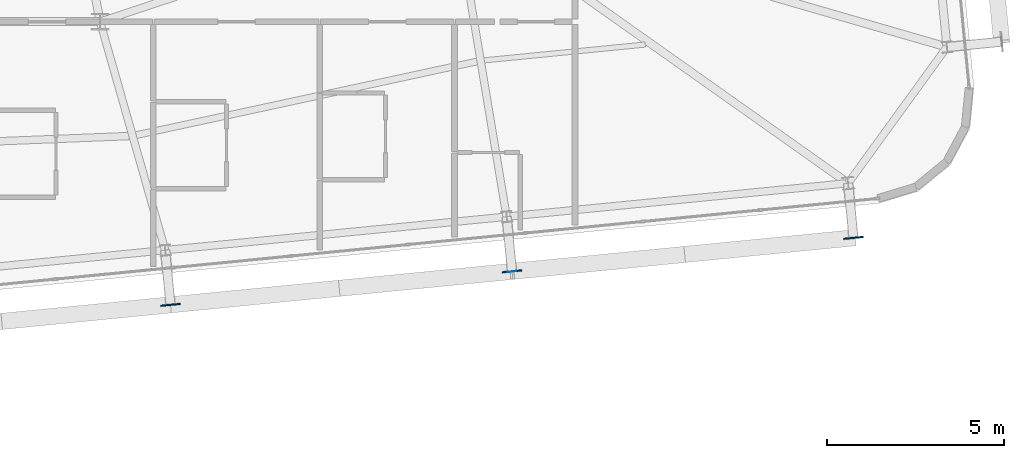
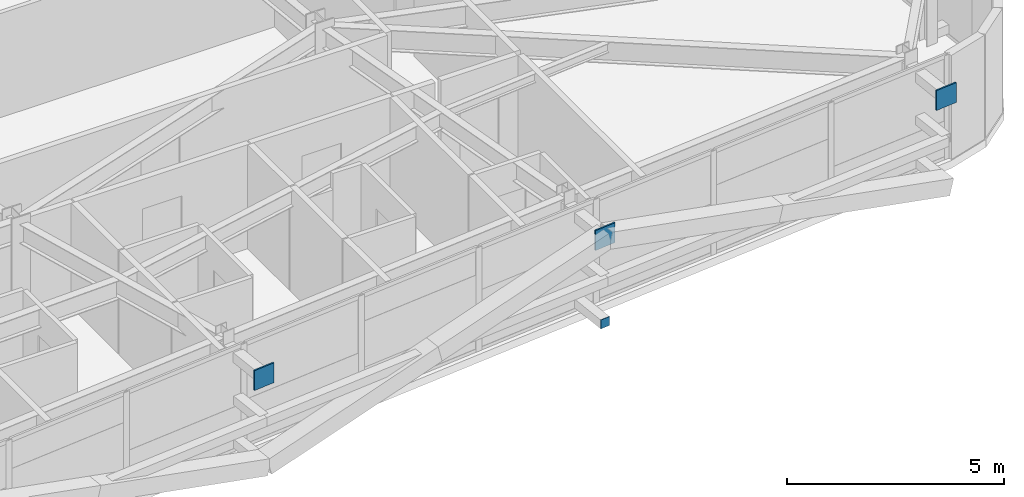
# One storey, part 41 of 54: 4 plates.
"""IFC4 building model written with IfcOpenShell, lengths in metres."""

from ifc_helpers import new_model, si_unit, direction, frame, origin, origin_2d, place, context, subcontext, project, spatial, rectangle, extrude, source, transform, mapped, material, layer, layer_set, type_object, element, save


model = new_model("IFC4")

# Units and contexts
model_context = context("Model", 3, precision=1e-05, world=origin(), true_north=direction((0.0, 1.0)))
body_context = subcontext(model_context, "Body", "Model", "MODEL_VIEW")
ifc_project = project(units=[si_unit("LENGTHUNIT", "METRE"), si_unit("AREAUNIT", "SQUARE_METRE"), si_unit("VOLUMEUNIT", "CUBIC_METRE"), si_unit("PLANEANGLEUNIT", "RADIAN"), si_unit("MASSUNIT", "GRAM", prefix="KILO")], contexts=[model_context])

# Site, building, storey
site_placement = place(None, origin())
site = spatial("IfcSite", under=ifc_project, at=site_placement, CompositionType="ELEMENT")
building_placement = place(site_placement, origin())
building = spatial("IfcBuilding", under=site, at=building_placement, Name="Taldren Reach Tower", CompositionType="ELEMENT")
storey_placement = place(building_placement, frame((0.0, 0.0, 102.89990234375)))
storey = spatial("IfcBuildingStorey", under=building, at=storey_placement, Name="L31", CompositionType="ELEMENT", Elevation=102.89990234375)

# Plates
ifc_material_1 = material(Name="Steel Gr 450 (C450L0)", Category="steel")
ifc_layer_1 = layer(ifc_material_1, 0.0400390625)
ifc_layer_set_1 = layer_set([ifc_layer_1], Name="Steel Gr 450 (C450L0)")
plate_type_1 = type_object("IfcPlateType", Name="PL-GUSSET-40", PredefinedType="SHEET", material=ifc_layer_set_1)
shared_shape_1 = source(origin(), body_context, "Body", "SweptSolid", [
    extrude(rectangle(XDim=0.56005859375, YDim=0.0400390625, at=origin_2d()), origin(), (0.0, 0.0, 1.0), 0.56005859375),
])
for number, where, z_axis, x_axis, name in (
    (1, (43.98681640625, 1.21142578125, 2.3701171875), (0.0, 0.0, 1.0), (0.995227399982, 0.097582899759, 0.0), "Exoskeleton star-node gusset plate B2-S4 L31"),
    (2, (53.62060546875, 2.156005859375, 2.3701171875), (0.0, 0.0, 1.0), (0.995227399982, 0.097582899759, 0.0), "Exoskeleton star-node gusset plate B2-S5 L31"),
    (3, (63.25439453125, 3.1005859375, 2.3701171875), (0.0, 0.0, 1.0), (0.995227399982, 0.097582899759, 0.0), "Exoskeleton star-node gusset plate B2-S6 L31"),
):
    element("IfcPlate", number, at=place(storey_placement, frame(where, z_axis=z_axis, x_axis=x_axis)), inside=storey, type_object=plate_type_1, Name=name, PredefinedType="SHEET", context=body_context, shape_type="MappedRepresentation", body=[
        mapped(shared_shape_1, transform((0.0, 0.0, 0.0), scale=1.0)),
    ])
ifc_material_2 = material(Name="Steel Gr 350 (C350L0)", Category="steel")
ifc_layer_2 = layer(ifc_material_2, 0.011962890625)
ifc_layer_set_2 = layer_set([ifc_layer_2], Name="Steel Gr 350 (C350L0)")
plate_type_2 = type_object("IfcPlateType", Name="PL-CAP-250", PredefinedType="SHEET", material=ifc_layer_set_2)
shared_shape_2 = source(origin(), body_context, "Body", "SweptSolid", [
    extrude(rectangle(XDim=0.25, YDim=0.011962890625, at=origin_2d()), origin(), (0.0, 0.0, 1.0), 0.25),
])
plate_placement = place(storey_placement, frame((53.62109375, 2.14990234375, 0.09521484375), z_axis=(0.0, 0.0, 1.0), x_axis=(0.995227399982, 0.097582899759, 0.0)))
element("IfcPlate", 4, at=plate_placement, inside=storey, type_object=plate_type_2, Name="Tie strut end cap plate B2-S5 L31", PredefinedType="SHEET", context=body_context, shape_type="MappedRepresentation", body=[
    mapped(shared_shape_2, transform((0.0, 0.0, 0.0), scale=1.0)),
])

save(model, "model.ifc")
